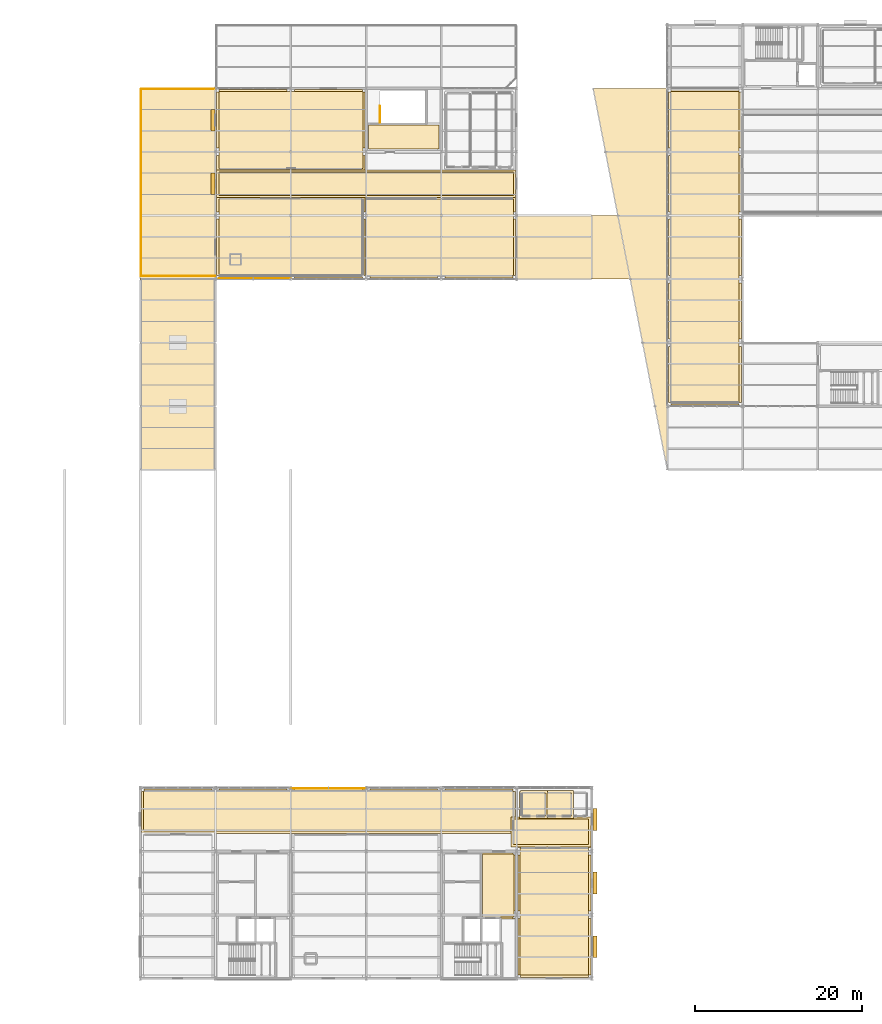
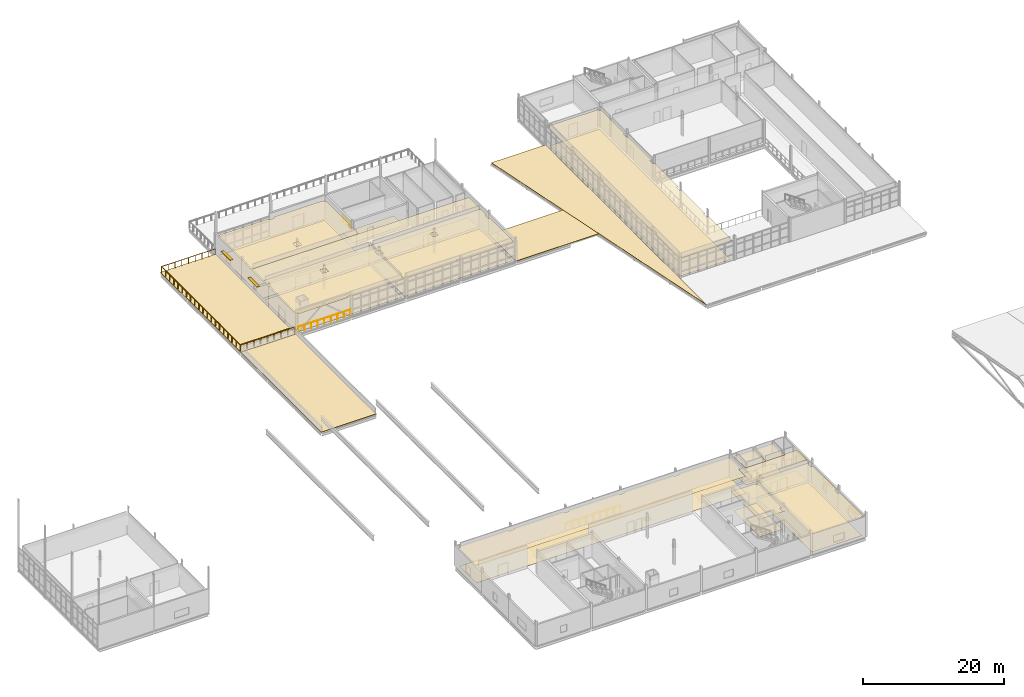
# One storey, part 94 of 96: 27 coverings, 5 shading devices, 4 railings.
"""IFC4 building model written with IfcOpenShell, lengths in metres."""

import ifcopenshell
import ifcopenshell.guid

model = None  # the IFC model being written
_history = None  # IfcOwnerHistory: only IFC2X3 demands one
_inside = {}  # id of a spatial element -> (the spatial element, [elements in it])
_under = {}  # id of a project, library or spatial element -> (it, [spatial elements below it])
_declared = {}  # id of a project -> (the project, [libraries it declares])
_typed = {}  # id of a type object -> (the type object, [elements of that type])
_made_of = {}  # id of a material, layer set ... -> (it, [elements and type objects made of it])


def new_model(schema):
    """Start an empty IFC model of exactly this schema.

    Asked for "IFC4X3", IfcOpenShell would pick the latest addendum, in which some entities
    have other attributes; the version numbers below select the first issue.
    IFC2X3 requires an IfcOwnerHistory on every rooted entity: one is made here for all.
    """
    global model, _history
    if schema == "IFC4X3":
        model = ifcopenshell.file(schema_version=(4, 3, 0, 0))
    else:
        model = ifcopenshell.file(schema=schema)
    _inside.clear()
    _under.clear()
    _declared.clear()
    _typed.clear()
    _made_of.clear()
    _history = None
    if model.schema == "IFC2X3":
        org = make("IfcOrganization", Name="unknown")
        user = make(
            "IfcPersonAndOrganization",
            ThePerson=make("IfcPerson", FamilyName="unknown"),
            TheOrganization=org,
        )
        app = make(
            "IfcApplication",
            ApplicationDeveloper=org,
            Version="unknown",
            ApplicationFullName="unknown",
            ApplicationIdentifier="unknown",
        )
        _history = make(
            "IfcOwnerHistory",
            OwningUser=user,
            OwningApplication=app,
            ChangeAction="ADDED",
            CreationDate=0,
        )
    return model


def make(cls, **values):
    """One entity of the class cls with the attributes given. An attribute that is None is left unset."""
    return model.create_entity(
        cls, **{name: value for name, value in values.items() if value is not None}
    )


def rooted(cls, **values):
    """An entity with a GlobalId (a new one), such as an element, a storey or a relation."""
    return make(cls, GlobalId=ifcopenshell.guid.new(), OwnerHistory=_history, **values)


def si_unit(unit_type, name, prefix=None):
    """IfcSIUnit, for example si_unit("LENGTHUNIT", "METRE", prefix="MILLI")."""
    return make("IfcSIUnit", UnitType=unit_type, Prefix=prefix, Name=name)


def assignment(units):
    """IfcUnitAssignment: the units of a project."""
    return None if units is None else make("IfcUnitAssignment", Units=units)


def point(xyz):
    """IfcCartesianPoint."""
    return None if xyz is None else make("IfcCartesianPoint", Coordinates=xyz)


def direction(xyz):
    """IfcDirection."""
    return None if xyz is None else make("IfcDirection", DirectionRatios=xyz)


def frame(location, z_axis=None, x_axis=None):
    """IfcAxis2Placement3D, a coordinate frame: its origin and axes. An axis left out is left unset."""
    return make(
        "IfcAxis2Placement3D",
        Location=point(location),
        Axis=direction(z_axis),
        RefDirection=direction(x_axis),
    )


def frame_2d(location, x_axis=None):
    """IfcAxis2Placement2D, a coordinate frame in the plane: its origin and x axis."""
    return make(
        "IfcAxis2Placement2D", Location=point(location), RefDirection=direction(x_axis)
    )


def origin():
    """The frame at (0, 0, 0) with its axes left unset."""
    return frame((0.0, 0.0, 0.0))


def origin_2d():
    """The frame at (0, 0) in the plane with its x axis left unset."""
    return frame_2d((0.0, 0.0))


def place(relative_to, where):
    """IfcLocalPlacement: puts the frame where relative to a parent placement (None: the world)."""
    return make(
        "IfcLocalPlacement", PlacementRelTo=relative_to, RelativePlacement=where
    )


def context(
    kind, dimensions, precision=None, world=None, true_north=None, identifier=None
):
    """IfcGeometricRepresentationContext, for example the 3D "Model" context."""
    return make(
        "IfcGeometricRepresentationContext",
        ContextIdentifier=identifier,
        ContextType=kind,
        CoordinateSpaceDimension=dimensions,
        Precision=precision,
        WorldCoordinateSystem=world,
        TrueNorth=true_north,
    )


def subcontext(parent, identifier, kind, view, scale=None):
    """IfcGeometricRepresentationSubContext, for example "Body" below "Model"."""
    return make(
        "IfcGeometricRepresentationSubContext",
        ContextIdentifier=identifier,
        ContextType=kind,
        ParentContext=parent,
        TargetScale=scale,
        TargetView=view,
    )


def project(units=None, contexts=None):
    """IfcProject with its units and contexts."""
    return rooted(
        "IfcProject",
        Name="project",
        RepresentationContexts=contexts,
        UnitsInContext=assignment(units),
    )


def spatial(cls, under=None, at=None, **own):
    """A site, building, storey or space (cls), placed at a placement, below another one or the project."""
    s = rooted(cls, ObjectPlacement=at, **own)
    if under is not None:
        _under.setdefault(under.id(), (under, []))[1].append(s)
    return s


def polyline(points):
    """IfcPolyline through the points."""
    return make("IfcPolyline", Points=[point(p) for p in points])


def profile(cls, at=None, kind="AREA", **sizes):
    """A parametric profile (cls). Its sizes go by their IFC names, for example OverallWidth=200.0."""
    return make(cls, ProfileType=kind, Position=at, **sizes)


def rectangle(**sizes):
    """IfcRectangleProfileDef."""
    return profile("IfcRectangleProfileDef", **sizes)


def circle(**sizes):
    """IfcCircleProfileDef."""
    return profile("IfcCircleProfileDef", **sizes)


def outline(outer, holes=None, kind="AREA"):
    """IfcArbitraryClosedProfileDef: a profile drawn as a closed curve; with holes, ...WithVoids."""
    if holes is None:
        return make("IfcArbitraryClosedProfileDef", ProfileType=kind, OuterCurve=outer)
    return make(
        "IfcArbitraryProfileDefWithVoids",
        ProfileType=kind,
        OuterCurve=outer,
        InnerCurves=holes,
    )


def extrude(swept, where, along, depth):
    """IfcExtrudedAreaSolid: the profile swept, set in the frame where, extruded along a direction by depth."""
    return make(
        "IfcExtrudedAreaSolid",
        SweptArea=swept,
        Position=where,
        ExtrudedDirection=direction(along),
        Depth=depth,
    )


def shape(context_of_items, identifier, shape_type, items):
    """IfcShapeRepresentation: the items that make up one representation, for example the "Body"."""
    return make(
        "IfcShapeRepresentation",
        ContextOfItems=context_of_items,
        RepresentationIdentifier=identifier,
        RepresentationType=shape_type,
        Items=items,
    )


def material(Name=None, Category=None):
    """IfcMaterial."""
    return make("IfcMaterial", Name=Name, Category=Category)


def layer(
    of_material, thickness, ventilated=None, Name=None, Category=None, Priority=None
):
    """IfcMaterialLayer: one layer of a wall or slab, of a material (None: an air gap)."""
    return make(
        "IfcMaterialLayer",
        Material=of_material,
        LayerThickness=thickness,
        IsVentilated=ventilated,
        Name=Name,
        Category=Category,
        Priority=Priority,
    )


def layer_set(layers, Name=None):
    """IfcMaterialLayerSet."""
    return make("IfcMaterialLayerSet", MaterialLayers=layers, LayerSetName=Name)


def made_of(thing, what):
    """Note that an element or type object is made of a material, layer set ...; save() writes the relation."""
    if what is not None:
        _made_of.setdefault(what.id(), (what, []))[1].append(thing)
    return thing


def type_object(cls, material=None, **own):
    """A type object (cls), such as IfcWallType, which elements share."""
    return made_of(rooted(cls, **own), material)


def element(
    cls,
    number,
    at=None,
    inside=None,
    cuts=None,
    type_object=None,
    material=None,
    context=None,
    identifier="Body",
    shape_type=None,
    held_by="IfcProductDefinitionShape",
    body=None,
    shapes=None,
    **own,
):
    """One element of the class cls, such as IfcWall. Its Tag is "e" and its number.

    at: its placement. inside: the storey or other place that contains it. cuts: it is an
    opening in that element (IfcRelVoidsElement). A single representation is given by context,
    identifier, shape_type and body (its items); several are given by shapes. held_by: the class
    of the entity that holds the representations. save() writes the other relations.
    """
    e = rooted(cls, Tag="e%d" % number, ObjectPlacement=at, **own)
    if body is not None:
        shapes = [shape(context, identifier, shape_type, body)]
    if shapes is not None:
        e.Representation = make(held_by, Representations=shapes)
    if inside is not None:
        _inside.setdefault(inside.id(), (inside, []))[1].append(e)
    if cuts is not None:
        rooted(
            "IfcRelVoidsElement", RelatingBuildingElement=cuts, RelatedOpeningElement=e
        )
    if type_object is not None:
        _typed.setdefault(type_object.id(), (type_object, []))[1].append(e)
    return made_of(e, material)


def aggregate(whole, parts):
    """IfcRelAggregates: a whole, such as a stair, and the parts it consists of."""
    return rooted("IfcRelAggregates", RelatingObject=whole, RelatedObjects=parts)


def save(model, path):
    """Write the relations noted so far, then the file.

    IfcRelAggregates (storeys below a building ...), IfcRelContainedInSpatialStructure (elements
    in a storey), IfcRelDefinesByType, IfcRelAssociatesMaterial and IfcRelDeclares: one each for
    every whole, place, type object, material and project.
    """
    for whole, parts in _under.values():
        aggregate(whole, parts)
    for where, things in _inside.values():
        rooted(
            "IfcRelContainedInSpatialStructure",
            RelatedElements=things,
            RelatingStructure=where,
        )
    for kind, things in _typed.values():
        rooted("IfcRelDefinesByType", RelatedObjects=things, RelatingType=kind)
    for what, things in _made_of.values():
        rooted("IfcRelAssociatesMaterial", RelatedObjects=things, RelatingMaterial=what)
    for by, libraries in _declared.values():
        rooted("IfcRelDeclares", RelatingContext=by, RelatedDefinitions=libraries)
    model.write(path)


model = new_model("IFC4")

# Units and contexts
model_context = context("Model", 3, precision=1e-05, world=origin(), true_north=direction((0.0, 1.0)))
body_context = subcontext(model_context, "Body", "Model", "MODEL_VIEW")
ifc_project = project(units=[si_unit("LENGTHUNIT", "METRE"), si_unit("AREAUNIT", "SQUARE_METRE"), si_unit("VOLUMEUNIT", "CUBIC_METRE"), si_unit("PLANEANGLEUNIT", "RADIAN"), si_unit("MASSUNIT", "GRAM", prefix="KILO")], contexts=[model_context])

# Site, building, storey
site_placement = place(None, origin())
site = spatial("IfcSite", under=ifc_project, at=site_placement, CompositionType="ELEMENT")
building_placement = place(site_placement, origin())
building = spatial("IfcBuilding", under=site, at=building_placement, Name="Caisbarro Railhouse Central Library", CompositionType="ELEMENT")
storey_placement = place(building_placement, frame((0.0, 0.0, 13.679931640625)))
storey = spatial("IfcBuildingStorey", under=building, at=storey_placement, Name="L03", CompositionType="ELEMENT", Elevation=13.679931640625)

# Coverings
ifc_material_1 = material(Name="Perforated mineral-fibre acoustic ceiling tile")
ifc_layer_1 = layer(ifc_material_1, 0.01806640625, Name="Perforated mineral-fibre acoustic ceiling tile")
ifc_layer_set_1 = layer_set([ifc_layer_1], Name="Perforated mineral-fibre acoustic ceiling tile")
covering_type_1 = type_object("IfcCoveringType", Name="COV-CL01", PredefinedType="CEILING", material=ifc_layer_set_1)
covering_1_placement = place(storey_placement, frame((0.0, 0.0, 3.25)))
element("IfcCovering", 1, at=covering_1_placement, inside=storey, type_object=covering_type_1, Name="CL01 acoustic ceiling Lift Lobby K2", PredefinedType="CEILING", context=body_context, shape_type="SweptSolid", body=[
    extrude(outline(polyline([(98.56005859375, 15.110107421875), (98.56005859375, 14.760009765625), (98.909912109375, 14.760009765625), (98.909912109375, 8.0400390625), (98.56005859375, 8.0400390625), (98.56005859375, 7.159912109375), (98.909912109375, 7.159912109375), (98.909912109375, 7.090087890625), (94.639892578125, 7.090087890625), (94.639892578125, 15.110107421875), (98.56005859375, 15.110107421875)])), origin(), (0.0, 0.0, 1.0), 0.01806640625),
])
covering_2_placement = place(storey_placement, frame((0.0, 0.0, 3.25)))
element("IfcCovering", 2, at=covering_2_placement, inside=storey, type_object=covering_type_1, Name="CL01 acoustic ceiling Government Gazette Closed Archive", PredefinedType="CEILING", context=body_context, shape_type="SweptSolid", body=[
    extrude(outline(polyline([(99.139892578125, 0.43994140625), (99.139892578125, 7.159912109375), (99.43994140625, 7.159912109375), (99.43994140625, 8.0400390625), (99.139892578125, 8.0400390625), (99.139892578125, 14.760009765625), (99.43994140625, 14.760009765625), (99.43994140625, 15.639892578125), (99.139892578125, 15.639892578125), (99.139892578125, 15.860107421875), (107.860107421875, 15.860107421875), (107.860107421875, 15.639892578125), (107.56005859375, 15.639892578125), (107.56005859375, 14.760009765625), (107.860107421875, 14.760009765625), (107.860107421875, 8.0400390625), (107.56005859375, 8.0400390625), (107.56005859375, 7.159912109375), (107.860107421875, 7.159912109375), (107.860107421875, 0.43994140625), (107.56005859375, 0.43994140625), (107.56005859375, 0.139892578125), (99.43994140625, 0.139892578125), (99.43994140625, 0.43994140625), (99.139892578125, 0.43994140625)])), origin(), (0.0, 0.0, 1.0), 0.01806640625),
])
covering_3_placement = place(storey_placement, frame((0.0, 0.0, 3.25)))
element("IfcCovering", 3, at=covering_3_placement, inside=storey, type_object=covering_type_1, Name="CL01 acoustic ceiling Archive Corridor L03", PredefinedType="CEILING", context=body_context, shape_type="SweptSolid", body=[
    extrude(outline(polyline([(63.43994140625, 22.360107421875), (63.43994140625, 22.659912109375), (71.56005859375, 22.659912109375), (71.56005859375, 22.360107421875), (72.43994140625, 22.360107421875), (72.43994140625, 22.659912109375), (80.56005859375, 22.659912109375), (80.56005859375, 22.360107421875), (81.43994140625, 22.360107421875), (81.43994140625, 22.659912109375), (89.56005859375, 22.659912109375), (89.56005859375, 22.360107421875), (90.43994140625, 22.360107421875), (90.43994140625, 22.659912109375), (98.56005859375, 22.659912109375), (98.56005859375, 22.360107421875), (98.860107421875, 22.360107421875), (98.860107421875, 17.340087890625), (54.139892578125, 17.340087890625), (54.139892578125, 22.360107421875), (54.43994140625, 22.360107421875), (54.43994140625, 22.659912109375), (62.56005859375, 22.659912109375), (62.56005859375, 22.360107421875), (63.43994140625, 22.360107421875)])), origin(), (0.0, 0.0, 1.0), 0.01806640625),
])
covering_4_placement = place(storey_placement, frame((0.0, 0.0, 3.25)))
element("IfcCovering", 4, at=covering_4_placement, inside=storey, type_object=covering_type_1, Name="CL01 acoustic ceiling East Archive Corridor L03", PredefinedType="CEILING", context=body_context, shape_type="SweptSolid", body=[
    extrude(outline(polyline([(98.340087890625, 15.739990234375), (98.340087890625, 19.31005859375), (107.860107421875, 19.31005859375), (107.860107421875, 15.739990234375), (98.340087890625, 15.739990234375)])), origin(), (0.0, 0.0, 1.0), 0.01806640625),
])
covering_5_placement = place(storey_placement, frame((0.0, 0.0, 3.25)))
element("IfcCovering", 5, at=covering_5_placement, inside=storey, type_object=covering_type_1, Name="CL01 acoustic ceiling Male WC L03-V5", PredefinedType="CEILING", context=body_context, shape_type="SweptSolid", body=[
    extrude(outline(polyline([(99.340087890625, 22.360107421875), (99.43994140625, 22.360107421875), (99.43994140625, 22.4599609375), (102.676025390625, 22.4599609375), (102.676025390625, 19.139892578125), (99.340087890625, 19.139892578125), (99.340087890625, 22.360107421875)])), origin(), (0.0, 0.0, 1.0), 0.01806640625),
])
covering_6_placement = place(storey_placement, frame((0.0, 0.0, 3.25)))
element("IfcCovering", 6, at=covering_6_placement, inside=storey, type_object=covering_type_1, Name="CL01 acoustic ceiling Female WC L03-V5", PredefinedType="CEILING", context=body_context, shape_type="SweptSolid", body=[
    extrude(outline(polyline([(102.35595703125, 19.139892578125), (102.35595703125, 22.4599609375), (105.7919921875, 22.4599609375), (105.7919921875, 19.139892578125), (102.35595703125, 19.139892578125)])), origin(), (0.0, 0.0, 1.0), 0.01806640625),
])
covering_7_placement = place(storey_placement, frame((0.0, 0.0, 3.25)))
element("IfcCovering", 7, at=covering_7_placement, inside=storey, type_object=covering_type_1, Name="CL01 acoustic ceiling Veranda Level Corridor L03", PredefinedType="CEILING", context=body_context, shape_type="SweptSolid", body=[
    extrude(outline(polyline([(63.139892578125, 93.340087890625), (63.139892578125, 96.659912109375), (98.860107421875, 96.659912109375), (98.860107421875, 93.340087890625), (63.139892578125, 93.340087890625)])), origin(), (0.0, 0.0, 1.0), 0.01806640625),
])
covering_8_placement = place(storey_placement, frame((0.0, 0.0, 3.25)))
element("IfcCovering", 8, at=covering_8_placement, inside=storey, type_object=covering_type_1, Name="CL01 acoustic ceiling Visiting Scholars Seminar Hall", PredefinedType="CEILING", context=body_context, shape_type="SweptSolid", body=[
    extrude(outline(polyline([(71.56005859375, 84.0400390625), (71.56005859375, 83.739990234375), (63.43994140625, 83.739990234375), (63.43994140625, 84.0400390625), (63.139892578125, 84.0400390625), (63.139892578125, 90.760009765625), (63.43994140625, 90.760009765625), (63.43994140625, 91.639892578125), (63.139892578125, 91.639892578125), (63.139892578125, 93.4599609375), (80.860107421875, 93.4599609375), (80.860107421875, 91.639892578125), (80.56005859375, 91.639892578125), (80.56005859375, 90.760009765625), (80.860107421875, 90.760009765625), (80.860107421875, 84.0400390625), (80.56005859375, 84.0400390625), (80.56005859375, 83.739990234375), (72.43994140625, 83.739990234375), (72.43994140625, 84.0400390625), (71.56005859375, 84.0400390625)]), holes=[polyline([(71.56005859375, 90.760009765625), (72.43994140625, 90.760009765625), (72.43994140625, 91.639892578125), (71.56005859375, 91.639892578125), (71.56005859375, 90.760009765625)])]), origin(), (0.0, 0.0, 1.0), 0.01806640625),
])
covering_9_placement = place(storey_placement, frame((0.0, 0.0, 3.25)))
element("IfcCovering", 9, at=covering_9_placement, inside=storey, type_object=covering_type_1, Name="CL01 acoustic ceiling Civic Design Exhibition Lounge", PredefinedType="CEILING", context=body_context, shape_type="SweptSolid", body=[
    extrude(outline(polyline([(89.56005859375, 84.0400390625), (89.56005859375, 83.739990234375), (81.43994140625, 83.739990234375), (81.43994140625, 84.0400390625), (80.739990234375, 84.0400390625), (80.739990234375, 90.760009765625), (81.43994140625, 90.760009765625), (81.43994140625, 91.639892578125), (80.739990234375, 91.639892578125), (80.739990234375, 93.4599609375), (98.860107421875, 93.4599609375), (98.860107421875, 91.639892578125), (98.56005859375, 91.639892578125), (98.56005859375, 90.760009765625), (98.860107421875, 90.760009765625), (98.860107421875, 84.0400390625), (98.56005859375, 84.0400390625), (98.56005859375, 83.739990234375), (90.43994140625, 83.739990234375), (90.43994140625, 84.0400390625), (89.56005859375, 84.0400390625)]), holes=[polyline([(89.56005859375, 90.760009765625), (90.43994140625, 90.760009765625), (90.43994140625, 91.639892578125), (89.56005859375, 91.639892578125), (89.56005859375, 90.760009765625)])]), origin(), (0.0, 0.0, 1.0), 0.01806640625),
])
covering_10_placement = place(storey_placement, frame((0.0, 0.0, 3.25)))
element("IfcCovering", 10, at=covering_10_placement, inside=storey, type_object=covering_type_1, Name="CL01 acoustic ceiling Writers-in-Residence Studio", PredefinedType="CEILING", context=body_context, shape_type="SweptSolid", body=[
    extrude(outline(polyline([(63.43994140625, 105.9599609375), (63.43994140625, 106.260009765625), (71.56005859375, 106.260009765625), (71.56005859375, 105.9599609375), (72.43994140625, 105.9599609375), (72.43994140625, 106.260009765625), (80.56005859375, 106.260009765625), (80.56005859375, 105.9599609375), (80.860107421875, 105.9599609375), (80.860107421875, 99.239990234375), (80.56005859375, 99.239990234375), (80.56005859375, 98.360107421875), (80.860107421875, 98.360107421875), (80.860107421875, 96.5400390625), (63.139892578125, 96.5400390625), (63.139892578125, 98.360107421875), (63.43994140625, 98.360107421875), (63.43994140625, 99.239990234375), (63.139892578125, 99.239990234375), (63.139892578125, 105.9599609375), (63.43994140625, 105.9599609375)]), holes=[polyline([(72.43994140625, 98.360107421875), (72.43994140625, 99.239990234375), (71.56005859375, 99.239990234375), (71.56005859375, 98.360107421875), (72.43994140625, 98.360107421875)])]), origin(), (0.0, 0.0, 1.0), 0.01806640625),
])
ifc_material_2 = material(Name="Slatted acoustic timber baffle ceiling", Category="wood")
ifc_layer_2 = layer(ifc_material_2, 0.031982421875, Name="Slatted acoustic timber baffle ceiling")
ifc_layer_set_2 = layer_set([ifc_layer_2], Name="Slatted acoustic timber baffle ceiling")
covering_type_2 = type_object("IfcCoveringType", Name="COV-CL02", PredefinedType="CEILING", material=ifc_layer_set_2)
covering_11_placement = place(storey_placement, frame((0.0, 0.0, 3.25)))
element("IfcCovering", 11, at=covering_11_placement, inside=storey, type_object=covering_type_2, Name="CL02 acoustic ceiling Atrium West Reading Lounge L03", PredefinedType="CEILING", context=body_context, shape_type="SweptSolid", body=[
    extrude(outline(polyline([(117.43994140625, 83.159912109375), (117.43994140625, 84.0400390625), (117.139892578125, 84.0400390625), (117.139892578125, 90.760009765625), (117.43994140625, 90.760009765625), (117.43994140625, 91.639892578125), (117.139892578125, 91.639892578125), (117.139892578125, 98.360107421875), (117.43994140625, 98.360107421875), (117.43994140625, 99.239990234375), (117.139892578125, 99.239990234375), (117.139892578125, 105.9599609375), (117.43994140625, 105.9599609375), (117.43994140625, 106.260009765625), (125.56005859375, 106.260009765625), (125.56005859375, 105.9599609375), (125.860107421875, 105.9599609375), (125.860107421875, 99.239990234375), (125.56005859375, 99.239990234375), (125.56005859375, 98.360107421875), (125.860107421875, 98.360107421875), (125.860107421875, 91.639892578125), (125.56005859375, 91.639892578125), (125.56005859375, 90.760009765625), (125.860107421875, 90.760009765625), (125.860107421875, 84.0400390625), (125.56005859375, 84.0400390625), (125.56005859375, 83.159912109375), (125.860107421875, 83.159912109375), (125.860107421875, 76.43994140625), (125.56005859375, 76.43994140625), (125.56005859375, 75.56005859375), (125.860107421875, 75.56005859375), (125.860107421875, 68.840087890625), (125.56005859375, 68.840087890625), (125.56005859375, 68.5400390625), (117.43994140625, 68.5400390625), (117.43994140625, 68.840087890625), (117.139892578125, 68.840087890625), (117.139892578125, 75.56005859375), (117.43994140625, 75.56005859375), (117.43994140625, 76.43994140625), (117.139892578125, 76.43994140625), (117.139892578125, 83.159912109375), (117.43994140625, 83.159912109375)])), origin(), (0.0, 0.0, 1.0), 0.031982421875),
])
ifc_material_3 = material(Name="Polished cementitious terrazzo flooring")
ifc_layer_3 = layer(ifc_material_3, 0.02197265625, Name="Polished cementitious terrazzo flooring")
ifc_layer_set_3 = layer_set([ifc_layer_3], Name="Polished cementitious terrazzo flooring")
covering_type_3 = type_object("IfcCoveringType", Name="COV-FL01", PredefinedType="FLOORING", material=ifc_layer_set_3)
covering_12_placement = place(storey_placement, origin())
element("IfcCovering", 12, at=covering_12_placement, inside=storey, type_object=covering_type_3, Name="FL01 flooring Lift Lobby K2", PredefinedType="FLOORING", context=body_context, shape_type="SweptSolid", body=[
    extrude(outline(polyline([(94.89990234375, 7.35009765625), (98.64990234375, 7.35009765625), (98.64990234375, 14.85009765625), (94.89990234375, 14.85009765625), (94.89990234375, 7.35009765625)])), origin(), (0.0, 0.0, 1.0), 0.02197265625),
])
covering_13_placement = place(storey_placement, origin())
element("IfcCovering", 13, at=covering_13_placement, inside=storey, type_object=covering_type_3, Name="FL01 flooring Stair Lobby K5", PredefinedType="FLOORING", context=body_context, shape_type="SweptSolid", body=[
    extrude(outline(polyline([(81.300048828125, 99.14990234375), (89.699951171875, 99.14990234375), (89.699951171875, 102.0), (81.300048828125, 102.0), (81.300048828125, 99.14990234375)])), origin(), (0.0, 0.0, 1.0), 0.02197265625),
])
covering_14_placement = place(storey_placement, origin())
element("IfcCovering", 14, at=covering_14_placement, inside=storey, type_object=covering_type_3, Name="FL01 flooring Archive Corridor L03", PredefinedType="FLOORING", context=body_context, shape_type="SweptSolid", body=[
    extrude(outline(polyline([(54.39990234375, 17.60009765625), (98.60009765625, 17.60009765625), (98.60009765625, 22.39990234375), (54.39990234375, 22.39990234375), (54.39990234375, 17.60009765625)])), origin(), (0.0, 0.0, 1.0), 0.02197265625),
])
covering_15_placement = place(storey_placement, origin())
element("IfcCovering", 15, at=covering_15_placement, inside=storey, type_object=covering_type_3, Name="FL01 flooring East Archive Corridor L03", PredefinedType="FLOORING", context=body_context, shape_type="SweptSolid", body=[
    extrude(outline(polyline([(98.60009765625, 16.0), (107.60009765625, 16.0), (107.60009765625, 19.050048828125), (98.60009765625, 19.050048828125), (98.60009765625, 16.0)])), origin(), (0.0, 0.0, 1.0), 0.02197265625),
])
covering_16_placement = place(storey_placement, origin())
element("IfcCovering", 16, at=covering_16_placement, inside=storey, type_object=covering_type_3, Name="FL01 flooring Veranda Level Corridor L03", PredefinedType="FLOORING", context=body_context, shape_type="SweptSolid", body=[
    extrude(outline(polyline([(63.39990234375, 93.60009765625), (98.60009765625, 93.60009765625), (98.60009765625, 96.39990234375), (63.39990234375, 96.39990234375), (63.39990234375, 93.60009765625)])), origin(), (0.0, 0.0, 1.0), 0.02197265625),
])
covering_17_placement = place(storey_placement, origin())
element("IfcCovering", 17, at=covering_17_placement, inside=storey, type_object=covering_type_3, Name="FL01 flooring Visiting Scholars Seminar Hall", PredefinedType="FLOORING", context=body_context, shape_type="SweptSolid", body=[
    extrude(outline(polyline([(63.39990234375, 84.0), (80.60009765625, 84.0), (80.60009765625, 93.199951171875), (63.39990234375, 93.199951171875), (63.39990234375, 84.0)])), origin(), (0.0, 0.0, 1.0), 0.02197265625),
])
ifc_material_4 = material(Name="Heavy-duty acoustic linoleum flooring")
ifc_layer_4 = layer(ifc_material_4, 0.011962890625, Name="Heavy-duty acoustic linoleum flooring")
ifc_layer_set_4 = layer_set([ifc_layer_4], Name="Heavy-duty acoustic linoleum flooring")
covering_type_4 = type_object("IfcCoveringType", Name="COV-FL02", PredefinedType="FLOORING", material=ifc_layer_set_4)
covering_18_placement = place(storey_placement, origin())
element("IfcCovering", 18, at=covering_18_placement, inside=storey, type_object=covering_type_4, Name="FL02 flooring Government Gazette Closed Archive", PredefinedType="FLOORING", context=body_context, shape_type="SweptSolid", body=[
    extrude(outline(polyline([(99.39990234375, 0.39990234375), (107.60009765625, 0.39990234375), (107.60009765625, 15.60009765625), (99.39990234375, 15.60009765625), (99.39990234375, 0.39990234375)])), origin(), (0.0, 0.0, 1.0), 0.011962890625),
])
covering_19_placement = place(storey_placement, origin())
element("IfcCovering", 19, at=covering_19_placement, inside=storey, type_object=covering_type_4, Name="FL02 flooring Male WC L03-V5", PredefinedType="FLOORING", context=body_context, shape_type="SweptSolid", body=[
    extrude(outline(polyline([(99.60009765625, 19.39990234375), (102.416015625, 19.39990234375), (102.416015625, 22.199951171875), (99.60009765625, 22.199951171875), (99.60009765625, 19.39990234375)])), origin(), (0.0, 0.0, 1.0), 0.011962890625),
])
covering_20_placement = place(storey_placement, origin())
element("IfcCovering", 20, at=covering_20_placement, inside=storey, type_object=covering_type_4, Name="FL02 flooring Female WC L03-V5", PredefinedType="FLOORING", context=body_context, shape_type="SweptSolid", body=[
    extrude(outline(polyline([(102.615966796875, 19.39990234375), (105.531982421875, 19.39990234375), (105.531982421875, 22.199951171875), (102.615966796875, 22.199951171875), (102.615966796875, 19.39990234375)])), origin(), (0.0, 0.0, 1.0), 0.011962890625),
])
covering_21_placement = place(storey_placement, origin())
element("IfcCovering", 21, at=covering_21_placement, inside=storey, type_object=covering_type_4, Name="FL02 flooring Civic Design Exhibition Lounge", PredefinedType="FLOORING", context=body_context, shape_type="SweptSolid", body=[
    extrude(outline(polyline([(81.0, 84.0), (98.60009765625, 84.0), (98.60009765625, 93.199951171875), (81.0, 93.199951171875), (81.0, 84.0)])), origin(), (0.0, 0.0, 1.0), 0.011962890625),
])
covering_22_placement = place(storey_placement, origin())
element("IfcCovering", 22, at=covering_22_placement, inside=storey, type_object=covering_type_4, Name="FL02 flooring Writers-in-Residence Studio", PredefinedType="FLOORING", context=body_context, shape_type="SweptSolid", body=[
    extrude(outline(polyline([(63.39990234375, 96.800048828125), (80.60009765625, 96.800048828125), (80.60009765625, 106.0), (63.39990234375, 106.0), (63.39990234375, 96.800048828125)])), origin(), (0.0, 0.0, 1.0), 0.011962890625),
])
covering_23_placement = place(storey_placement, origin())
element("IfcCovering", 23, at=covering_23_placement, inside=storey, type_object=covering_type_4, Name="FL02 flooring Atrium West Reading Lounge L03", PredefinedType="FLOORING", context=body_context, shape_type="SweptSolid", body=[
    extrude(outline(polyline([(117.39990234375, 68.800048828125), (125.60009765625, 68.800048828125), (125.60009765625, 106.0), (117.39990234375, 106.0), (117.39990234375, 68.800048828125)])), origin(), (0.0, 0.0, 1.0), 0.011962890625),
])
ifc_material_5 = material(Name="TPO waterproof membrane over PIR insulation")
ifc_layer_5 = layer(ifc_material_5, 0.080078125, Name="TPO waterproof membrane over PIR insulation")
ifc_layer_set_5 = layer_set([ifc_layer_5], Name="TPO waterproof membrane over PIR insulation")
covering_type_5 = type_object("IfcCoveringType", Name="COV-ROOF01", PredefinedType="ROOFING", material=ifc_layer_set_5)
covering_24_placement = place(storey_placement, origin())
element("IfcCovering", 24, at=covering_24_placement, inside=storey, type_object=covering_type_5, Name="Bridge Roof Membrane BRG-W", PredefinedType="ROOFING", context=body_context, shape_type="SweptSolid", body=[
    extrude(outline(polyline([(54.0, 60.800048828125), (63.0, 60.800048828125), (63.0, 83.60009765625), (54.0, 83.60009765625), (54.0, 60.800048828125)])), origin(), (0.0, 0.0, 1.0), 0.080078125),
])
covering_25_placement = place(storey_placement, origin())
element("IfcCovering", 25, at=covering_25_placement, inside=storey, type_object=covering_type_5, Name="Bridge Roof Membrane BRG-E", PredefinedType="ROOFING", context=body_context, shape_type="SweptSolid", body=[
    extrude(outline(polyline([(99.0, 83.60009765625), (112.568115234375, 83.60009765625), (111.091064453125, 91.199951171875), (99.0, 91.199951171875), (99.0, 83.60009765625)])), origin(), (0.0, 0.0, 1.0), 0.080078125),
])
covering_26_placement = place(storey_placement, origin())
element("IfcCovering", 26, at=covering_26_placement, inside=storey, type_object=covering_type_5, Name="V6 West Roof Waterproofing Membrane", PredefinedType="ROOFING", context=body_context, shape_type="SweptSolid", body=[
    extrude(outline(polyline([(54.0, 83.60009765625), (63.0, 83.60009765625), (63.0, 106.39990234375), (54.0, 106.39990234375), (54.0, 83.60009765625)])), origin(), (0.0, 0.0, 1.0), 0.080078125),
])
covering_27_placement = place(storey_placement, origin())
element("IfcCovering", 27, at=covering_27_placement, inside=storey, type_object=covering_type_5, Name="V4 Splayed Wedge Roof Membrane", PredefinedType="ROOFING", context=body_context, shape_type="SweptSolid", body=[
    extrude(outline(polyline([(117.0, 60.800048828125), (117.0, 106.39990234375), (108.135986328125, 106.39990234375), (117.0, 60.800048828125)])), origin(), (0.0, 0.0, 1.0), 0.080078125),
])

# Railings
ifc_material_6 = material(Name="Laminated safety glass balustrade with stainless top rail", Category="glass")
railing_type_1 = type_object("IfcRailingType", Name="RLG-ATR112", PredefinedType="GUARDRAIL", material=ifc_material_6)
railing_1_placement = place(storey_placement, frame((72.0, 22.699951171875, 0.0)))
element("IfcRailing", 28, at=railing_1_placement, inside=storey, type_object=railing_type_1, Name="RG02 Interior Void Balustrade L03-26", PredefinedType="GUARDRAIL", context=body_context, shape_type="SweptSolid", body=[
    extrude(circle(Radius=0.02392578125, at=origin_2d()), frame((0.0, 0.0, 1.09619140625), z_axis=(1.0, 0.0, 0.0), x_axis=(0.0, 1.0, 0.0)), (0.0, 0.0, 1.0), 9.0),
    extrude(circle(Radius=0.02099609375, at=origin_2d()), origin(), (0.0, 0.0, 1.0), 1.072021484375),
    extrude(circle(Radius=0.02099609375, at=origin_2d()), frame((1.125, 0.0, 0.0)), (0.0, 0.0, 1.0), 1.072021484375),
    extrude(circle(Radius=0.02099609375, at=origin_2d()), frame((2.25, 0.0, 0.0)), (0.0, 0.0, 1.0), 1.072021484375),
    extrude(circle(Radius=0.02099609375, at=origin_2d()), frame((3.375, 0.0, 0.0)), (0.0, 0.0, 1.0), 1.072021484375),
    extrude(circle(Radius=0.02099609375, at=origin_2d()), frame((4.5, 0.0, 0.0)), (0.0, 0.0, 1.0), 1.072021484375),
    extrude(circle(Radius=0.02099609375, at=origin_2d()), frame((5.625, 0.0, 0.0)), (0.0, 0.0, 1.0), 1.072021484375),
    extrude(circle(Radius=0.02099609375, at=origin_2d()), frame((6.75, 0.0, 0.0)), (0.0, 0.0, 1.0), 1.072021484375),
    extrude(circle(Radius=0.02099609375, at=origin_2d()), frame((7.875, 0.0, 0.0)), (0.0, 0.0, 1.0), 1.072021484375),
    extrude(circle(Radius=0.02099609375, at=origin_2d()), frame((9.0, 0.0, 0.0)), (0.0, 0.0, 1.0), 1.072021484375),
])
railing_2_placement = place(storey_placement, frame((63.39990234375, 83.699951171875, 0.0)))
element("IfcRailing", 29, at=railing_2_placement, inside=storey, type_object=railing_type_1, Name="RG02 Interior Void Balustrade L03-36", PredefinedType="GUARDRAIL", context=body_context, shape_type="SweptSolid", body=[
    extrude(circle(Radius=0.02392578125, at=origin_2d()), frame((0.0, 0.0, 1.09619140625), z_axis=(1.0, 0.0, 0.0), x_axis=(0.0, 1.0, 0.0)), (0.0, 0.0, 1.0), 8.60009765625),
    extrude(circle(Radius=0.02099609375, at=origin_2d()), origin(), (0.0, 0.0, 1.0), 1.072021484375),
    extrude(circle(Radius=0.02099609375, at=origin_2d()), frame((1.074951171875, 0.0, 0.0)), (0.0, 0.0, 1.0), 1.072021484375),
    extrude(circle(Radius=0.02099609375, at=origin_2d()), frame((2.14990234375, 0.0, 0.0)), (0.0, 0.0, 1.0), 1.072021484375),
    extrude(circle(Radius=0.02099609375, at=origin_2d()), frame((3.22509765625, 0.0, 0.0)), (0.0, 0.0, 1.0), 1.072021484375),
    extrude(circle(Radius=0.02099609375, at=origin_2d()), frame((4.300048828125, 0.0, 0.0)), (0.0, 0.0, 1.0), 1.072021484375),
    extrude(circle(Radius=0.02099609375, at=origin_2d()), frame((5.375, 0.0, 0.0)), (0.0, 0.0, 1.0), 1.072021484375),
    extrude(circle(Radius=0.02099609375, at=origin_2d()), frame((6.4501953125, 0.0, 0.0)), (0.0, 0.0, 1.0), 1.072021484375),
    extrude(circle(Radius=0.02099609375, at=origin_2d()), frame((7.525146484375, 0.0, 0.0)), (0.0, 0.0, 1.0), 1.072021484375),
    extrude(circle(Radius=0.02099609375, at=origin_2d()), frame((8.60009765625, 0.0, 0.0)), (0.0, 0.0, 1.0), 1.072021484375),
])
ifc_material_7 = material(Name="Brushed stainless steel Grade 316", Category="steel")
railing_type_2 = type_object("IfcRailingType", Name="RLG-EXT110", PredefinedType="GUARDRAIL", material=ifc_material_7)
railing_3_placement = place(storey_placement, frame((62.949951171875, 83.9599609375, 0.0)))
element("IfcRailing", 30, at=railing_3_placement, inside=storey, type_object=railing_type_2, Name="RG01 Terrace Guardrail V6W-RF", PredefinedType="GUARDRAIL", context=body_context, shape_type="SweptSolid", body=[
    extrude(circle(Radius=0.02392578125, at=origin_2d()), frame((0.0, 0.0, 1.076171875), z_axis=(-1.0, 0.0, 0.0), x_axis=(0.0, -1.0, 0.0)), (0.0, 0.0, 1.0), 8.849853515625),
    extrude(circle(Radius=0.02392578125, at=origin_2d()), frame((-8.849853515625, 0.0, 1.076171875), z_axis=(0.0, 1.0, 0.0), x_axis=(-1.0, 0.0, 0.0)), (0.0, 0.0, 1.0), 22.340087890625),
    extrude(circle(Radius=0.02392578125, at=origin_2d()), frame((-8.849853515625, 22.340087890625, 1.076171875), z_axis=(1.0, 0.0, 0.0), x_axis=(0.0, 1.0, 0.0)), (0.0, 0.0, 1.0), 8.849853515625),
    extrude(circle(Radius=0.02099609375, at=origin_2d()), origin(), (0.0, 0.0, 1.0), 1.052001953125),
    extrude(circle(Radius=0.02099609375, at=origin_2d()), frame((-1.106201171875, 0.0, 0.0)), (0.0, 0.0, 1.0), 1.052001953125),
    extrude(circle(Radius=0.02099609375, at=origin_2d()), frame((-2.21240234375, 0.0, 0.0)), (0.0, 0.0, 1.0), 1.052001953125),
    extrude(circle(Radius=0.02099609375, at=origin_2d()), frame((-3.318603515625, 0.0, 0.0)), (0.0, 0.0, 1.0), 1.052001953125),
    extrude(circle(Radius=0.02099609375, at=origin_2d()), frame((-4.4248046875, 0.0, 0.0)), (0.0, 0.0, 1.0), 1.052001953125),
    extrude(circle(Radius=0.02099609375, at=origin_2d()), frame((-5.53125, 0.0, 0.0)), (0.0, 0.0, 1.0), 1.052001953125),
    extrude(circle(Radius=0.02099609375, at=origin_2d()), frame((-6.637451171875, 0.0, 0.0)), (0.0, 0.0, 1.0), 1.052001953125),
    extrude(circle(Radius=0.02099609375, at=origin_2d()), frame((-7.74365234375, 0.0, 0.0)), (0.0, 0.0, 1.0), 1.052001953125),
    extrude(circle(Radius=0.02099609375, at=origin_2d()), frame((-8.849853515625, 0.0, 0.0)), (0.0, 0.0, 1.0), 1.052001953125),
    extrude(circle(Radius=0.02099609375, at=origin_2d()), frame((-8.849853515625, 1.17578125, 0.0)), (0.0, 0.0, 1.0), 1.052001953125),
    extrude(circle(Radius=0.02099609375, at=origin_2d()), frame((-8.849853515625, 2.3515625, 0.0)), (0.0, 0.0, 1.0), 1.052001953125),
    extrude(circle(Radius=0.02099609375, at=origin_2d()), frame((-8.849853515625, 3.52734375, 0.0)), (0.0, 0.0, 1.0), 1.052001953125),
    extrude(circle(Radius=0.02099609375, at=origin_2d()), frame((-8.849853515625, 4.703125, 0.0)), (0.0, 0.0, 1.0), 1.052001953125),
    extrude(circle(Radius=0.02099609375, at=origin_2d()), frame((-8.849853515625, 5.87890625, 0.0)), (0.0, 0.0, 1.0), 1.052001953125),
    extrude(circle(Radius=0.02099609375, at=origin_2d()), frame((-8.849853515625, 7.0546875, 0.0)), (0.0, 0.0, 1.0), 1.052001953125),
    extrude(circle(Radius=0.02099609375, at=origin_2d()), frame((-8.849853515625, 8.23046875, 0.0)), (0.0, 0.0, 1.0), 1.052001953125),
    extrude(circle(Radius=0.02099609375, at=origin_2d()), frame((-8.849853515625, 9.40625, 0.0)), (0.0, 0.0, 1.0), 1.052001953125),
    extrude(circle(Radius=0.02099609375, at=origin_2d()), frame((-8.849853515625, 10.58203125, 0.0)), (0.0, 0.0, 1.0), 1.052001953125),
    extrude(circle(Radius=0.02099609375, at=origin_2d()), frame((-8.849853515625, 11.758056640625, 0.0)), (0.0, 0.0, 1.0), 1.052001953125),
    extrude(circle(Radius=0.02099609375, at=origin_2d()), frame((-8.849853515625, 12.933837890625, 0.0)), (0.0, 0.0, 1.0), 1.052001953125),
    extrude(circle(Radius=0.02099609375, at=origin_2d()), frame((-8.849853515625, 14.109619140625, 0.0)), (0.0, 0.0, 1.0), 1.052001953125),
    extrude(circle(Radius=0.02099609375, at=origin_2d()), frame((-8.849853515625, 15.285400390625, 0.0)), (0.0, 0.0, 1.0), 1.052001953125),
    extrude(circle(Radius=0.02099609375, at=origin_2d()), frame((-8.849853515625, 16.461181640625, 0.0)), (0.0, 0.0, 1.0), 1.052001953125),
    extrude(circle(Radius=0.02099609375, at=origin_2d()), frame((-8.849853515625, 17.636962890625, 0.0)), (0.0, 0.0, 1.0), 1.052001953125),
    extrude(circle(Radius=0.02099609375, at=origin_2d()), frame((-8.849853515625, 18.812744140625, 0.0)), (0.0, 0.0, 1.0), 1.052001953125),
    extrude(circle(Radius=0.02099609375, at=origin_2d()), frame((-8.849853515625, 19.988525390625, 0.0)), (0.0, 0.0, 1.0), 1.052001953125),
    extrude(circle(Radius=0.02099609375, at=origin_2d()), frame((-8.849853515625, 21.164306640625, 0.0)), (0.0, 0.0, 1.0), 1.052001953125),
    extrude(circle(Radius=0.02099609375, at=origin_2d()), frame((-8.849853515625, 22.340087890625, 0.0)), (0.0, 0.0, 1.0), 1.052001953125),
    extrude(circle(Radius=0.02099609375, at=origin_2d()), frame((-7.74365234375, 22.340087890625, 0.0)), (0.0, 0.0, 1.0), 1.052001953125),
    extrude(circle(Radius=0.02099609375, at=origin_2d()), frame((-6.637451171875, 22.340087890625, 0.0)), (0.0, 0.0, 1.0), 1.052001953125),
    extrude(circle(Radius=0.02099609375, at=origin_2d()), frame((-5.53125, 22.340087890625, 0.0)), (0.0, 0.0, 1.0), 1.052001953125),
    extrude(circle(Radius=0.02099609375, at=origin_2d()), frame((-4.4248046875, 22.340087890625, 0.0)), (0.0, 0.0, 1.0), 1.052001953125),
    extrude(circle(Radius=0.02099609375, at=origin_2d()), frame((-3.318603515625, 22.340087890625, 0.0)), (0.0, 0.0, 1.0), 1.052001953125),
    extrude(circle(Radius=0.02099609375, at=origin_2d()), frame((-2.21240234375, 22.340087890625, 0.0)), (0.0, 0.0, 1.0), 1.052001953125),
    extrude(circle(Radius=0.02099609375, at=origin_2d()), frame((-1.106201171875, 22.340087890625, 0.0)), (0.0, 0.0, 1.0), 1.052001953125),
    extrude(circle(Radius=0.02099609375, at=origin_2d()), frame((0.0, 22.340087890625, 0.0)), (0.0, 0.0, 1.0), 1.052001953125),
])
railing_type_3 = type_object("IfcRailingType", Name="RLG-STR110", PredefinedType="GUARDRAIL", material=ifc_material_7)
railing_4_placement = place(storey_placement, frame((82.64990234375, 102.300048828125, 0.0)))
element("IfcRailing", 31, at=railing_4_placement, inside=storey, type_object=railing_type_3, Name="Stair ST-05 Top Landing Guardrail L03", PredefinedType="GUARDRAIL", context=body_context, shape_type="SweptSolid", body=[
    extrude(circle(Radius=0.02392578125, at=origin_2d()), frame((0.0, 0.0, 1.076171875), z_axis=(0.0, 1.0, 0.0), x_axis=(-1.0, 0.0, 0.0)), (0.0, 0.0, 1.0), 1.969970703125),
    extrude(circle(Radius=0.02099609375, at=origin_2d()), origin(), (0.0, 0.0, 1.0), 1.052001953125),
    extrude(circle(Radius=0.02099609375, at=origin_2d()), frame((0.0, 0.98486328125, 0.0)), (0.0, 0.0, 1.0), 1.052001953125),
    extrude(circle(Radius=0.02099609375, at=origin_2d()), frame((0.0, 1.969970703125, 0.0)), (0.0, 0.0, 1.0), 1.052001953125),
])

# Shading devices
ifc_material_8 = material(Name="Anodised architectural aluminium", Category="aluminium")
ifc_layer_6 = layer(ifc_material_8, 0.050048828125, Name="Anodised architectural aluminium")
ifc_layer_set_6 = layer_set([ifc_layer_6], Name="Anodised architectural aluminium")
shading_device_type = type_object("IfcShadingDeviceType", Name="SHD-JAL01", PredefinedType="JALOUSIE", material=ifc_layer_set_6)
for number, where, z_axis, x_axis, name in (
    (32, (108.340087890625, 3.800048828125, 2.0849609375), (0.0, 0.0, 1.0), (0.0, 1.0, 0.0), "JL01 solar brise-soleil L03-04"),
    (33, (108.340087890625, 11.39990234375, 2.23486328125), (0.0, 0.0, 1.0), (0.0, 1.0, 0.0), "JL01 solar brise-soleil L03-05"),
    (34, (108.340087890625, 19.0, 2.23486328125), (0.0, 0.0, 1.0), (0.0, 1.0, 0.0), "JL01 solar brise-soleil L03-06"),
    (35, (62.669921875, 95.0, 2.23486328125), (0.0, 0.0, 1.0), (0.0, 1.0, 0.0), "JL01 solar brise-soleil L03-53"),
    (36, (62.669921875, 102.60009765625, 2.23486328125), (0.0, 0.0, 1.0), (0.0, 1.0, 0.0), "JL01 solar brise-soleil L03-54"),
):
    element("IfcShadingDevice", number, at=place(storey_placement, frame(where, z_axis=z_axis, x_axis=x_axis)), inside=storey, type_object=shading_device_type, Name=name, PredefinedType="JALOUSIE", context=body_context, shape_type="SweptSolid", body=[
        extrude(rectangle(XDim=2.60009765625, YDim=0.47998046875, at=origin_2d()), origin(), (0.0, 0.0, 1.0), 0.050048828125),
    ])

save(model, "model.ifc")
